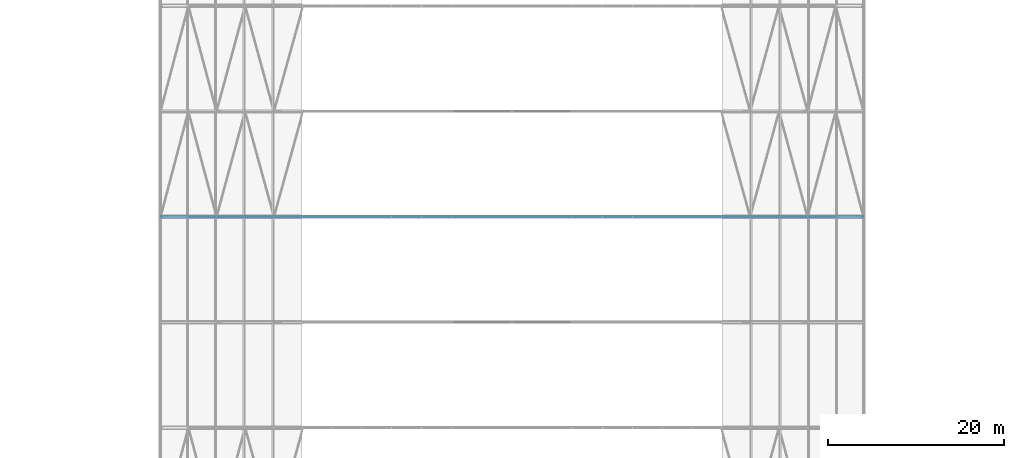
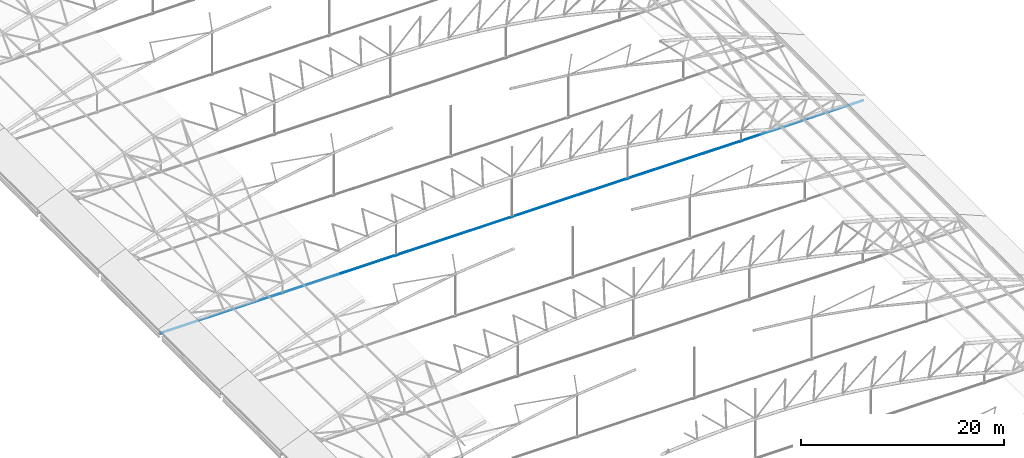
# One storey, part 71 of 321: 1 member.
"""IFC4 building model written with IfcOpenShell, lengths in metres."""

from ifc_helpers import new_model, si_unit, direction, frame, origin, origin_2d, place, context, subcontext, project, spatial, circle, extrude, material, material_profile, profile_set, type_object, element, save


model = new_model("IFC4")

# Units and contexts
model_context = context("Model", 3, precision=1e-05, world=origin(), true_north=direction((0.0, 1.0)))
body_context = subcontext(model_context, "Body", "Model", "MODEL_VIEW")
ifc_project = project(units=[si_unit("LENGTHUNIT", "METRE"), si_unit("AREAUNIT", "SQUARE_METRE"), si_unit("VOLUMEUNIT", "CUBIC_METRE"), si_unit("PLANEANGLEUNIT", "RADIAN"), si_unit("MASSUNIT", "GRAM", prefix="KILO")], contexts=[model_context])

# Site, building, storey
site_placement = place(None, origin())
site = spatial("IfcSite", under=ifc_project, at=site_placement, CompositionType="ELEMENT")
building_placement = place(site_placement, origin())
building = spatial("IfcBuilding", under=site, at=building_placement, Name="Ravi Spectrum Wholesale Market", CompositionType="ELEMENT")
storey_placement = place(building_placement, frame((0.0, 0.0, 10.800048828125)))
storey = spatial("IfcBuildingStorey", under=building, at=storey_placement, Name="L02", CompositionType="ELEMENT", Elevation=10.800048828125)

# Member
ifc_material = material(Name="Steel S460", Category="steel")
ifc_material_profile = material_profile(ifc_material, circle(Radius=0.044921875, at=origin_2d()))
ifc_profile_set = profile_set([ifc_material_profile], Name="Steel S460")
member_type = type_object("IfcMemberType", Name="ROD 90 tie", PredefinedType="BRACE", material=ifc_profile_set)
member_placement = place(storey_placement, frame((30.0, 102.0, 0.0), z_axis=(1.0, 0.0, 0.0), x_axis=(0.0, 1.0, 0.0)))
element("IfcMember", 1, at=member_placement, inside=storey, type_object=member_type, Name="H1-MB-L02-580", PredefinedType="BRACE", context=body_context, shape_type="SweptSolid", body=[
    extrude(circle(Radius=0.044921875, at=origin_2d()), origin(), (0.0, 0.0, 1.0), 80.0),
])

save(model, "model.ifc")
